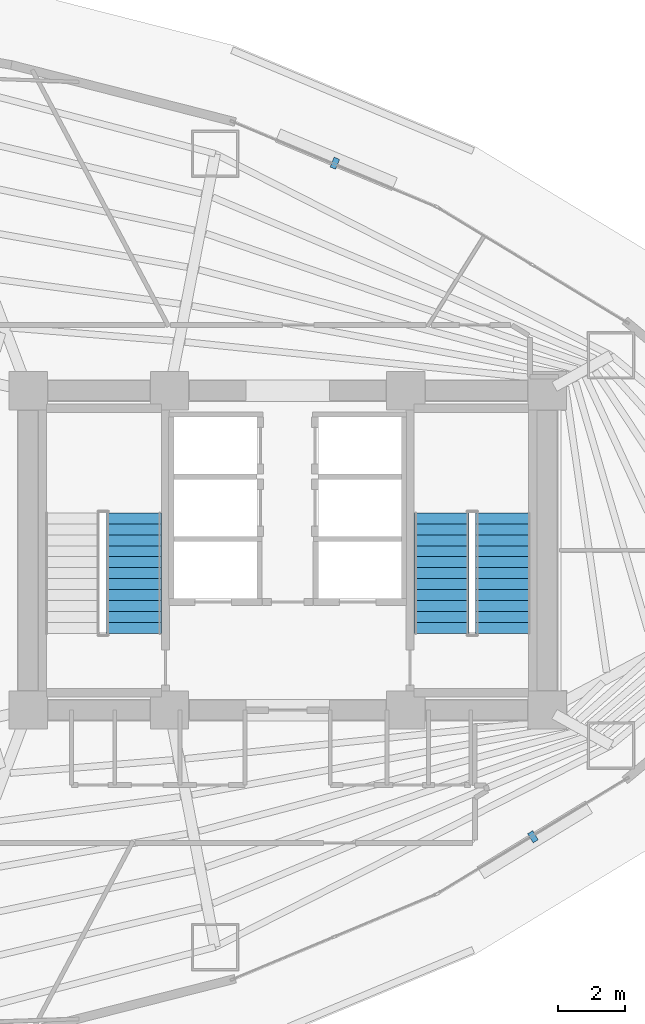
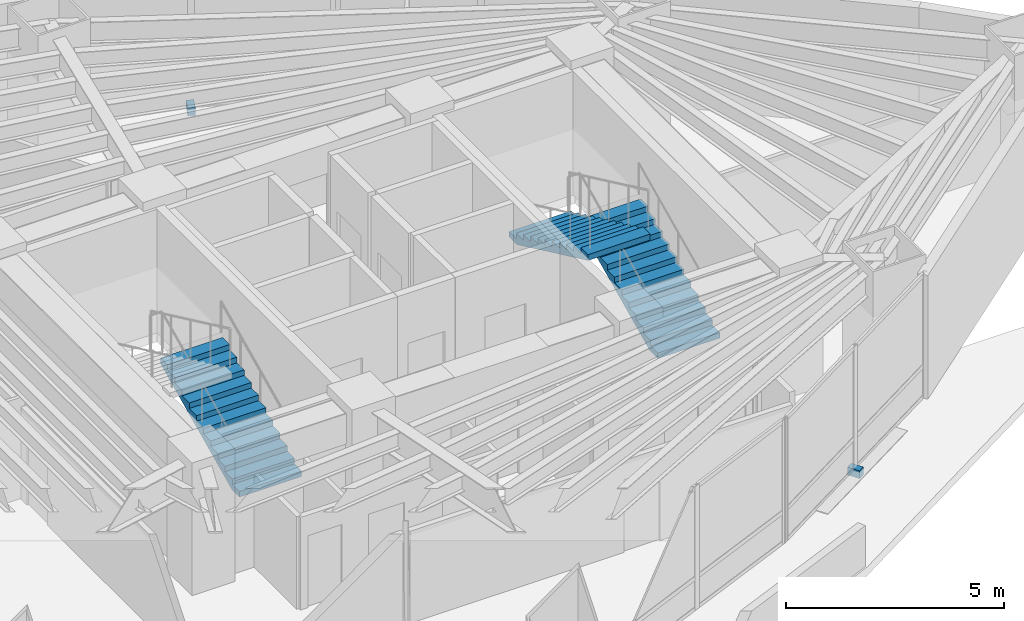
# One storey, part 15 of 17: 3 stair flights, 2 discrete accessories, 2 elements without a shape of their own.
"""IFC4 building model written with IfcOpenShell, lengths in metres."""

from ifc_helpers import new_model, si_unit, direction, frame, origin, origin_2d, place, context, subcontext, project, spatial, polyline, rectangle, outline, extrude, material, type_object, element, aggregate, save


model = new_model("IFC4")

# Units and contexts
model_context = context("Model", 3, precision=1e-05, world=origin(), true_north=direction((0.0, 1.0)))
body_context = subcontext(model_context, "Body", "Model", "MODEL_VIEW")
ifc_project = project(units=[si_unit("LENGTHUNIT", "METRE"), si_unit("AREAUNIT", "SQUARE_METRE"), si_unit("VOLUMEUNIT", "CUBIC_METRE"), si_unit("PLANEANGLEUNIT", "RADIAN"), si_unit("MASSUNIT", "GRAM", prefix="KILO")], contexts=[model_context])

# Site, building, storey
site_placement = place(None, origin())
site = spatial("IfcSite", under=ifc_project, at=site_placement, CompositionType="ELEMENT")
building_placement = place(site_placement, origin())
building = spatial("IfcBuilding", under=site, at=building_placement, Name="Menara Vayukalpa", CompositionType="ELEMENT")
storey_placement = place(building_placement, frame((0.0, 0.0, 27.60009765625)))
storey = spatial("IfcBuildingStorey", under=building, at=storey_placement, Name="L05", CompositionType="ELEMENT", Elevation=27.60009765625)

# Stair, stair flight
ifc_material_1 = material(Name="Precast Concrete C40/50", Category="concrete")
stair_type = type_object("IfcStairType", Name="STR-T04", PredefinedType="DOUBLE_RETURN_STAIR", material=ifc_material_1)
stair_1_placement = place(storey_placement, origin())
stair_1 = element("IfcStair", 1, at=stair_1_placement, inside=storey, type_object=stair_type, Name="L05 Core Exit Stair ST-1", PredefinedType="DOUBLE_RETURN_STAIR")
ifc_material_2 = material(Name="Precast Concrete C40/50", Category="concrete")
stair_flight_type = type_object("IfcStairFlightType", Name="STF-T04", PredefinedType="STRAIGHT", material=ifc_material_2)
stair_flight_1_placement = place(storey_placement, frame((20.97509765625, 19.5, 0.0), z_axis=(0.0, 0.0, 1.0), x_axis=(0.0, 1.0, 0.0)))
stair_flight_1 = element("IfcStairFlight", 2, at=stair_flight_1_placement, type_object=stair_flight_type, Name="ST-1 flight 1", NumberOfRisers=12, NumberOfTreads=11, PredefinedType="STRAIGHT", RiserHeight=0.155, TreadLength=0.33, context=body_context, shape_type="SweptSolid", body=[
    extrude(outline(polyline([(0.0, 0.0), (0.0, 0.155029296875), (0.330078125, 0.155029296875), (0.330078125, 0.31005859375), (0.659912109375, 0.31005859375), (0.659912109375, 0.465087890625), (0.989990234375, 0.465087890625), (0.989990234375, 0.6201171875), (1.320068359375, 0.6201171875), (1.320068359375, 0.77490234375), (1.64990234375, 0.77490234375), (1.64990234375, 0.929931640625), (1.97998046875, 0.929931640625), (1.97998046875, 1.0849609375), (2.31005859375, 1.0849609375), (2.31005859375, 1.239990234375), (2.639892578125, 1.239990234375), (2.639892578125, 1.39501953125), (2.969970703125, 1.39501953125), (2.969970703125, 1.550048828125), (3.300048828125, 1.550048828125), (3.300048828125, 1.705078125), (3.6298828125, 1.705078125), (3.6298828125, 1.860107421875), (3.6298828125, 1.539306640625), (0.3525390625, 0.0), (0.0, 0.0)])), frame((0.0, 0.824951171875, 0.0), z_axis=(0.0, -1.0, 0.0), x_axis=(1.0, 0.0, 0.0)), (0.0, 0.0, 1.0), 1.64990234375),
])
aggregate(stair_1, [stair_flight_1])

# Stair, stair flights
stair_2_placement = place(storey_placement, origin())
stair_2 = element("IfcStair", 3, at=stair_2_placement, inside=storey, type_object=stair_type, Name="L05 Core Exit Stair ST-2", PredefinedType="DOUBLE_RETURN_STAIR")
stair_flight_2_placement = place(storey_placement, frame((32.074951171875, 19.5, 0.0), z_axis=(0.0, 0.0, 1.0), x_axis=(0.0, 1.0, 0.0)))
stair_flight_2 = element("IfcStairFlight", 4, at=stair_flight_2_placement, type_object=stair_flight_type, Name="ST-2 flight 1", NumberOfRisers=12, NumberOfTreads=11, PredefinedType="STRAIGHT", RiserHeight=0.155, TreadLength=0.33, context=body_context, shape_type="SweptSolid", body=[
    extrude(outline(polyline([(0.0, 0.0), (0.0, 0.155029296875), (0.330078125, 0.155029296875), (0.330078125, 0.31005859375), (0.659912109375, 0.31005859375), (0.659912109375, 0.465087890625), (0.989990234375, 0.465087890625), (0.989990234375, 0.6201171875), (1.320068359375, 0.6201171875), (1.320068359375, 0.77490234375), (1.64990234375, 0.77490234375), (1.64990234375, 0.929931640625), (1.97998046875, 0.929931640625), (1.97998046875, 1.0849609375), (2.31005859375, 1.0849609375), (2.31005859375, 1.239990234375), (2.639892578125, 1.239990234375), (2.639892578125, 1.39501953125), (2.969970703125, 1.39501953125), (2.969970703125, 1.550048828125), (3.300048828125, 1.550048828125), (3.300048828125, 1.705078125), (3.6298828125, 1.705078125), (3.6298828125, 1.860107421875), (3.6298828125, 1.539306640625), (0.3525390625, 0.0), (0.0, 0.0)])), frame((0.0, 0.824951171875, 0.0), z_axis=(0.0, -1.0, 0.0), x_axis=(1.0, 0.0, 0.0)), (0.0, 0.0, 1.0), 1.64990234375),
])
stair_flight_3_placement = place(storey_placement, frame((30.22509765625, 23.1298828125, 1.85986328125), z_axis=(0.0, 0.0, 1.0), x_axis=(0.0, -1.0, 0.0)))
stair_flight_3 = element("IfcStairFlight", 5, at=stair_flight_3_placement, type_object=stair_flight_type, Name="ST-2 flight 2", NumberOfRisers=12, NumberOfTreads=11, PredefinedType="STRAIGHT", RiserHeight=0.155, TreadLength=0.33, context=body_context, shape_type="SweptSolid", body=[
    extrude(outline(polyline([(0.0, 0.0), (0.0, 0.155029296875), (0.330078125, 0.155029296875), (0.330078125, 0.31005859375), (0.659912109375, 0.31005859375), (0.659912109375, 0.465087890625), (0.989990234375, 0.465087890625), (0.989990234375, 0.6201171875), (1.320068359375, 0.6201171875), (1.320068359375, 0.77490234375), (1.64990234375, 0.77490234375), (1.64990234375, 0.929931640625), (1.97998046875, 0.929931640625), (1.97998046875, 1.0849609375), (2.31005859375, 1.0849609375), (2.31005859375, 1.239990234375), (2.639892578125, 1.239990234375), (2.639892578125, 1.39501953125), (2.969970703125, 1.39501953125), (2.969970703125, 1.550048828125), (3.300048828125, 1.550048828125), (3.300048828125, 1.705078125), (3.6298828125, 1.705078125), (3.6298828125, 1.860107421875), (3.6298828125, 1.539306640625), (0.3525390625, 0.0), (0.0, 0.0)])), frame((0.0, 0.824951171875, 0.0), z_axis=(0.0, -1.0, 0.0), x_axis=(1.0, 0.0, 0.0)), (0.0, 0.0, 1.0), 1.64990234375),
])
aggregate(stair_2, [stair_flight_2, stair_flight_3])

# Discrete accessories
ifc_material_3 = material(Name="Stainless Steel 316 Sunshade Bracket", Category="steel")
discrete_accessory_type = type_object("IfcDiscreteAccessoryType", Name="ACC-BRK1", PredefinedType="BRACKET", material=ifc_material_3)
for number, where, z_axis, x_axis, name in (
    (6, (27.018310546875, 33.638916015625, -0.16015625), (0.0, 0.0, 1.0), (-0.922544824647, 0.385889940938, 0.0), "L05 Terracotta Sunshade Bracket 05"),
    (7, (32.9716796875, 13.39306640625, -0.16015625), (0.0, 0.0, 1.0), (0.85466730962, 0.519176068272, 0.0), "L05 Terracotta Sunshade Bracket 17"),
):
    element("IfcDiscreteAccessory", number, at=place(storey_placement, frame(where, z_axis=z_axis, x_axis=x_axis)), inside=storey, type_object=discrete_accessory_type, Name=name, PredefinedType="BRACKET", context=body_context, shape_type="SweptSolid", body=[
        extrude(rectangle(XDim=0.179931640625, YDim=0.320068359375, at=origin_2d()), origin(), (0.0, 0.0, 1.0), 0.219970703125),
    ])

save(model, "model.ifc")
